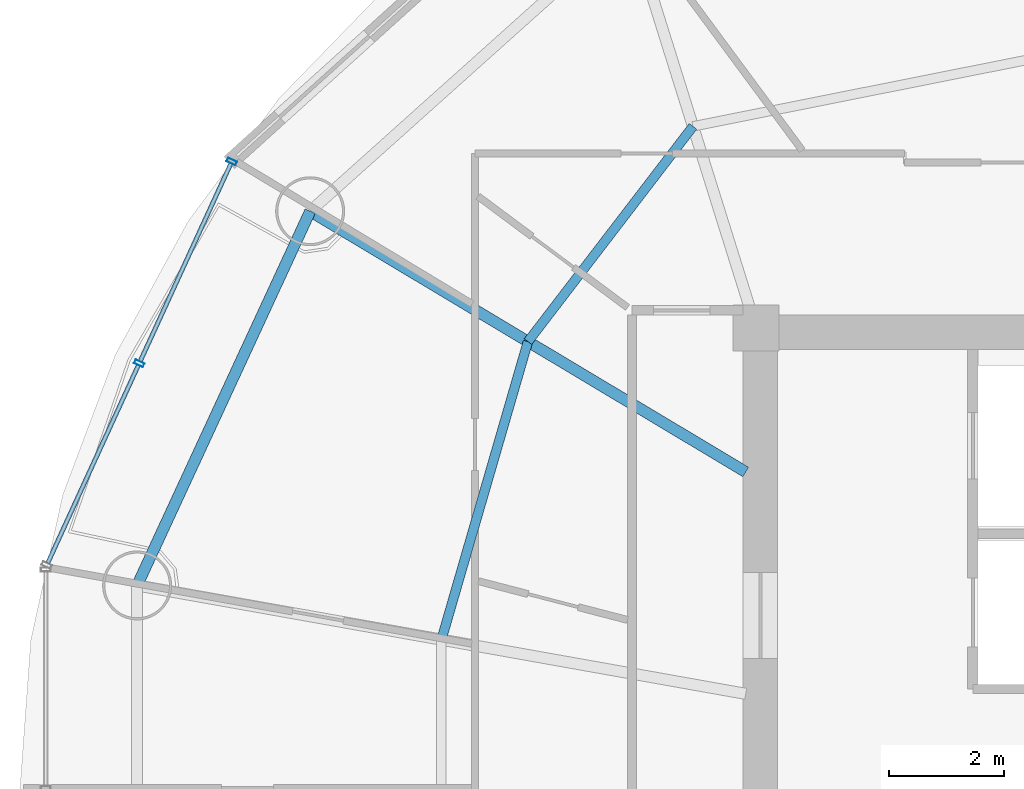
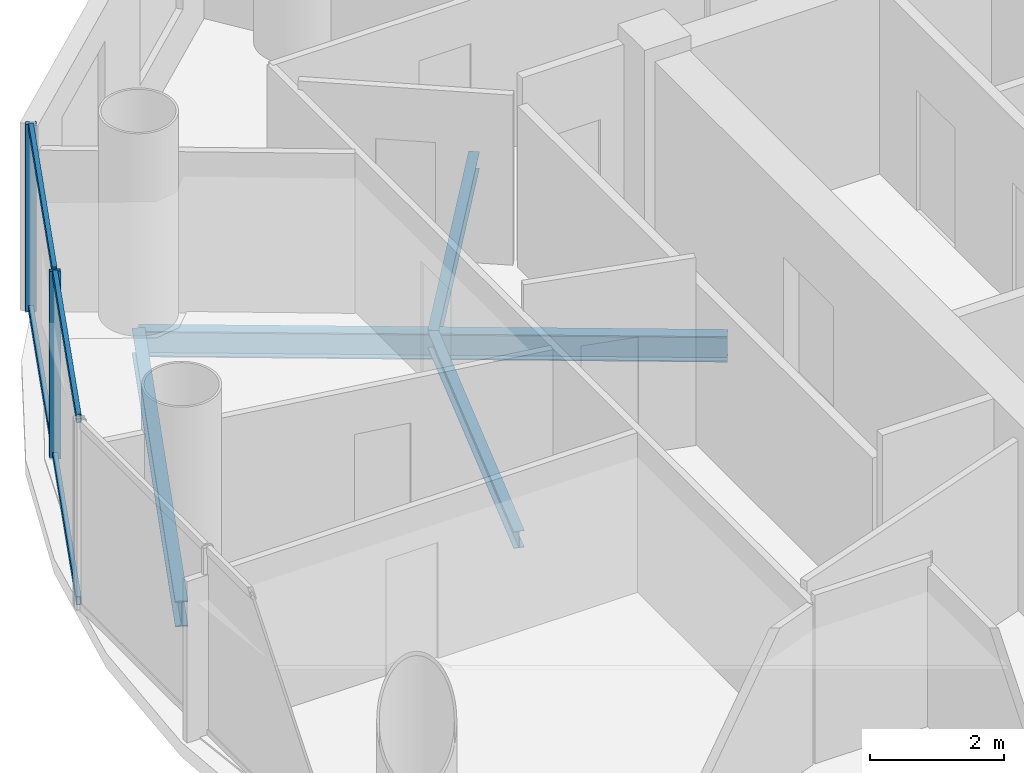
# One storey, part 9 of 26: 6 members, 4 beams, 1 element without a shape of its own.
"""IFC4 building model written with IfcOpenShell, lengths in metres."""

from ifc_helpers import new_model, si_unit, direction, frame, origin, origin_2d, place, context, subcontext, project, spatial, hollow_rectangle, i_section, extrude, source, transform, mapped, material, material_profile, profile_set, type_object, element, aggregate, save


model = new_model("IFC4")

# Units and contexts
model_context = context("Model", 3, precision=1e-05, world=origin(), true_north=direction((-0.2419218956, 0.970295726276)))
body_context = subcontext(model_context, "Body", "Model", "MODEL_VIEW")
ifc_project = project(units=[si_unit("LENGTHUNIT", "METRE"), si_unit("AREAUNIT", "SQUARE_METRE"), si_unit("VOLUMEUNIT", "CUBIC_METRE"), si_unit("PLANEANGLEUNIT", "RADIAN"), si_unit("MASSUNIT", "GRAM", prefix="KILO")], contexts=[model_context])

# Site, building, storey
site_placement = place(None, origin())
site = spatial("IfcSite", under=ifc_project, at=site_placement, CompositionType="ELEMENT")
building_placement = place(site_placement, origin())
building = spatial("IfcBuilding", under=site, at=building_placement, Name="Cobrevalo Terracotta Tower", CompositionType="ELEMENT")
storey_placement = place(building_placement, frame((0.0, 0.0, 228.199951171875)))
storey = spatial("IfcBuildingStorey", under=building, at=storey_placement, Name="L60", CompositionType="ELEMENT", Elevation=228.199951171875)

# Beams
ifc_material_1 = material(Name="Steel S355", Category="steel")
ifc_material_profile_1 = material_profile(ifc_material_1, i_section(OverallWidth=0.194091796875, OverallDepth=0.468994140625, WebThickness=0.011474609375, FlangeThickness=0.0205078125, at=origin_2d()), Name="W 460x106")
ifc_profile_set_1 = profile_set([ifc_material_profile_1], Name="Steel S355")
beam_type_1 = type_object("IfcBeamType", Name="Structural Beam W 460x106 (Steel S355)", PredefinedType="BEAM", material=ifc_profile_set_1)
beam_1_placement = place(storey_placement, frame((21.245849609375, 36.828125, -0.49951171875), z_axis=(0.858046392192, -0.513572184651, 0.0), x_axis=(0.513572184651, 0.858046392192, 0.0)))
element("IfcBeam", 1, at=beam_1_placement, inside=storey, type_object=beam_type_1, Name="L60 radial floor girder 07", PredefinedType="BEAM", context=body_context, shape_type="SweptSolid", body=[
    extrude(i_section(OverallWidth=0.194091796875, OverallDepth=0.468994140625, WebThickness=0.011474609375, FlangeThickness=0.0205078125, at=origin_2d()), origin(), (0.0, 0.0, 1.0), 8.827392578125),
])
ifc_material_profile_2 = material_profile(ifc_material_1, i_section(OverallWidth=0.1650390625, OverallDepth=0.31005859375, WebThickness=0.005859375, FlangeThickness=0.009765625, at=origin_2d()), Name="W 310x38.7")
ifc_profile_set_2 = profile_set([ifc_material_profile_2], Name="Steel S355")
beam_type_2 = type_object("IfcBeamType", Name="Structural Joist W 310x38.7 (Steel S355)", PredefinedType="JOIST", material=ifc_profile_set_2)
beam_2_placement = place(storey_placement, frame((27.902587890625, 38.303955078125, -0.419921875), z_axis=(-0.608464146296, -0.793581364872, 0.0), x_axis=(0.793581364872, -0.608464146296, 0.0)))
element("IfcBeam", 2, at=beam_2_placement, inside=storey, type_object=beam_type_2, Name="L60 circumferential secondary floor joist 06", PredefinedType="JOIST", context=body_context, shape_type="SweptSolid", body=[
    extrude(i_section(OverallWidth=0.1650390625, OverallDepth=0.31005859375, WebThickness=0.005859375, FlangeThickness=0.009765625, at=origin_2d()), origin(), (0.0, 0.0, 1.0), 4.716064453125),
])
beam_3_placement = place(storey_placement, frame((25.032958984375, 34.561279296875, -0.419921875), z_axis=(-0.278769817131, -0.960357948401, 0.0), x_axis=(0.960357948401, -0.278769817131, 0.0)))
element("IfcBeam", 3, at=beam_3_placement, inside=storey, type_object=beam_type_2, Name="L60 circumferential secondary floor joist 07", PredefinedType="JOIST", context=body_context, shape_type="SweptSolid", body=[
    extrude(i_section(OverallWidth=0.1650390625, OverallDepth=0.31005859375, WebThickness=0.005859375, FlangeThickness=0.009765625, at=origin_2d()), origin(), (0.0, 0.0, 1.0), 5.396484375),
])
ifc_material_profile_3 = material_profile(ifc_material_1, i_section(OverallWidth=0.194091796875, OverallDepth=0.468994140625, WebThickness=0.011474609375, FlangeThickness=0.0205078125, at=origin_2d()), Name="W 460x106")
ifc_profile_set_3 = profile_set([ifc_material_profile_3], Name="Steel S355")
beam_type_3 = type_object("IfcBeamType", Name="Structural Spandrel W 460x106 (Steel S355)", PredefinedType="SPANDREL", material=ifc_profile_set_3)
beam_4_placement = place(storey_placement, frame((21.245849609375, 36.828125, -0.49951171875), z_axis=(-0.419705965131, -0.907660125176, 0.0), x_axis=(0.907660125176, -0.419705965131, 0.0)))
element("IfcBeam", 4, at=beam_4_placement, inside=storey, type_object=beam_type_3, Name="L60 perimeter ring spandrel 07", PredefinedType="SPANDREL", context=body_context, shape_type="SweptSolid", body=[
    extrude(i_section(OverallWidth=0.194091796875, OverallDepth=0.468994140625, WebThickness=0.011474609375, FlangeThickness=0.0205078125, at=origin_2d()), origin(), (0.0, 0.0, 1.0), 7.168701171875),
])

# Curtain wall, members
ifc_material_2 = material(Name="Anodized aluminium", Category="aluminium")
curtain_wall_type = type_object("IfcCurtainWallType", Name="Mid-tower high-wind unitised curtain wall CW-U2", PredefinedType="NOTDEFINED", material=ifc_material_2)
curtain_wall_placement = place(storey_placement, origin())
curtain_wall = element("IfcCurtainWall", 5, at=curtain_wall_placement, inside=storey, type_object=curtain_wall_type, Name="L60 curtain wall CW-L60-S07", PredefinedType="NOTDEFINED")
ifc_material_profile_4 = material_profile(ifc_material_2, hollow_rectangle(XDim=0.074951171875, YDim=0.14990234375, WallThickness=0.00439453125, at=origin_2d()), Name="CWT 75x150")
ifc_profile_set_4 = profile_set([ifc_material_profile_4], Name="Anodized aluminium")
member_type_1 = type_object("IfcMemberType", Name="Tower unitised aluminium transom 75x150", PredefinedType="USERDEFINED", material=ifc_profile_set_4)
shared_shape_1 = source(origin(), body_context, "Body", "SweptSolid", [
    extrude(hollow_rectangle(XDim=0.074951171875, YDim=0.14990234375, WallThickness=0.00439453125, at=origin_2d()), origin(), (0.0, 0.0, 1.0), 3.780029296875),
])
member_1_placement = place(storey_placement, frame((19.865478515625, 37.6552734375, 0.050048828125), z_axis=(-0.416705859352, -0.909041377926, 0.0), x_axis=(0.909041377926, -0.416705859352, 0.0)))
member_1 = element("IfcMember", 6, at=member_1_placement, type_object=member_type_1, Name="CW-L60-S07 transom B01-T1", ObjectType="TRANSOM", PredefinedType="USERDEFINED", context=body_context, shape_type="MappedRepresentation", body=[
    mapped(shared_shape_1, transform((0.0, 0.0, 0.0), scale=1.0)),
])
member_2_placement = place(storey_placement, frame((19.865478515625, 37.6552734375, 3.385009765625), z_axis=(-0.416705859352, -0.909041377926, 0.0), x_axis=(0.909041377926, -0.416705859352, 0.0)))
member_2 = element("IfcMember", 7, at=member_2_placement, type_object=member_type_1, Name="CW-L60-S07 transom B01-T2", ObjectType="TRANSOM", PredefinedType="USERDEFINED", context=body_context, shape_type="MappedRepresentation", body=[
    mapped(shared_shape_1, transform((0.0, 0.0, 0.0), scale=1.0)),
])
member_3_placement = place(storey_placement, frame((18.2568359375, 34.146484375, 0.050048828125), z_axis=(-0.416705859352, -0.909041377926, 0.0), x_axis=(0.909041377926, -0.416705859352, 0.0)))
member_3 = element("IfcMember", 8, at=member_3_placement, type_object=member_type_1, Name="CW-L60-S07 transom B02-T1", ObjectType="TRANSOM", PredefinedType="USERDEFINED", context=body_context, shape_type="MappedRepresentation", body=[
    mapped(shared_shape_1, transform((0.0, 0.0, 0.0), scale=1.0)),
])
member_4_placement = place(storey_placement, frame((18.2568359375, 34.146484375, 3.385009765625), z_axis=(-0.416705859352, -0.909041377926, 0.0), x_axis=(0.909041377926, -0.416705859352, 0.0)))
member_4 = element("IfcMember", 9, at=member_4_placement, type_object=member_type_1, Name="CW-L60-S07 transom B02-T2", ObjectType="TRANSOM", PredefinedType="USERDEFINED", context=body_context, shape_type="MappedRepresentation", body=[
    mapped(shared_shape_1, transform((0.0, 0.0, 0.0), scale=1.0)),
])
ifc_material_profile_5 = material_profile(ifc_material_2, hollow_rectangle(XDim=0.070068359375, YDim=0.169921875, WallThickness=0.00439453125, at=origin_2d()), Name="CWM 70x170")
ifc_profile_set_5 = profile_set([ifc_material_profile_5], Name="Anodized aluminium")
member_type_2 = type_object("IfcMemberType", Name="Upper tower unitised mullion 70x170", PredefinedType="MULLION", material=ifc_profile_set_5)
shared_shape_2 = source(origin(), body_context, "Body", "SweptSolid", [
    extrude(hollow_rectangle(XDim=0.070068359375, YDim=0.169921875, WallThickness=0.00439453125, at=origin_2d()), origin(), (0.0, 0.0, 1.0), 3.43505859375),
])
member_5_placement = place(storey_placement, frame((19.88232421875, 37.691650390625, 0.0), z_axis=(0.0, 0.0, 1.0), x_axis=(-0.41672507912, -0.909032567311, 0.0)))
member_5 = element("IfcMember", 10, at=member_5_placement, type_object=member_type_2, Name="CW-L60-S07 vertical mullion 01", PredefinedType="MULLION", context=body_context, shape_type="MappedRepresentation", body=[
    mapped(shared_shape_2, transform((0.0, 0.0, 0.0), scale=1.0)),
])
member_6_placement = place(storey_placement, frame((18.273681640625, 34.182861328125, 0.0), z_axis=(0.0, 0.0, 1.0), x_axis=(-0.41672507912, -0.909032567311, 0.0)))
member_6 = element("IfcMember", 11, at=member_6_placement, type_object=member_type_2, Name="CW-L60-S07 vertical mullion 02", PredefinedType="MULLION", context=body_context, shape_type="MappedRepresentation", body=[
    mapped(shared_shape_2, transform((0.0, 0.0, 0.0), scale=1.0)),
])
aggregate(curtain_wall, [member_5, member_6, member_1, member_2, member_3, member_4])

save(model, "model.ifc")
